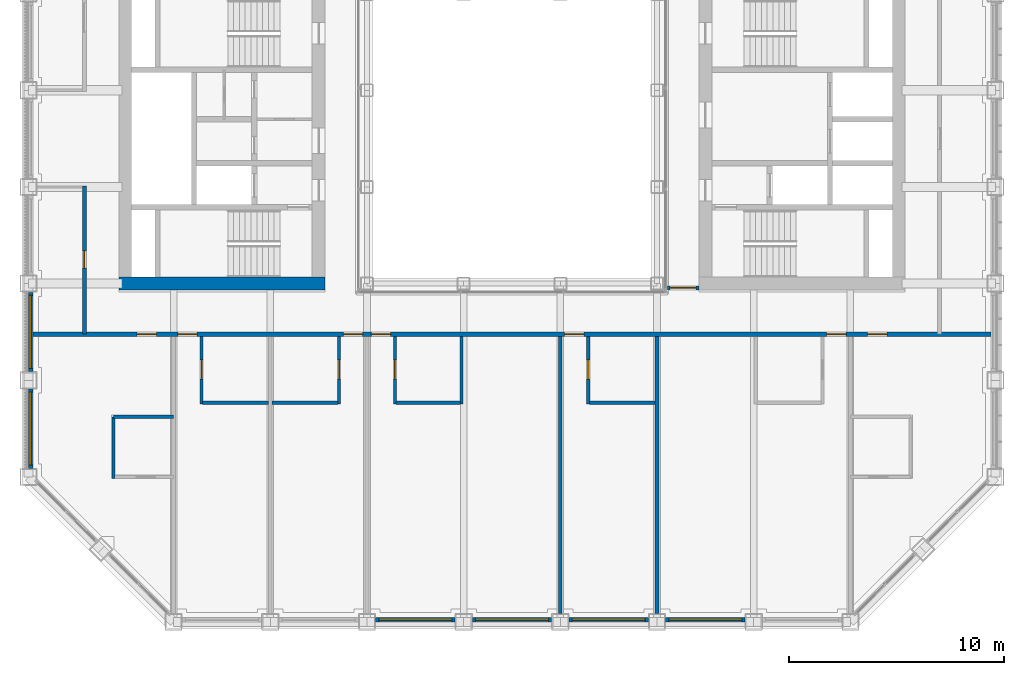
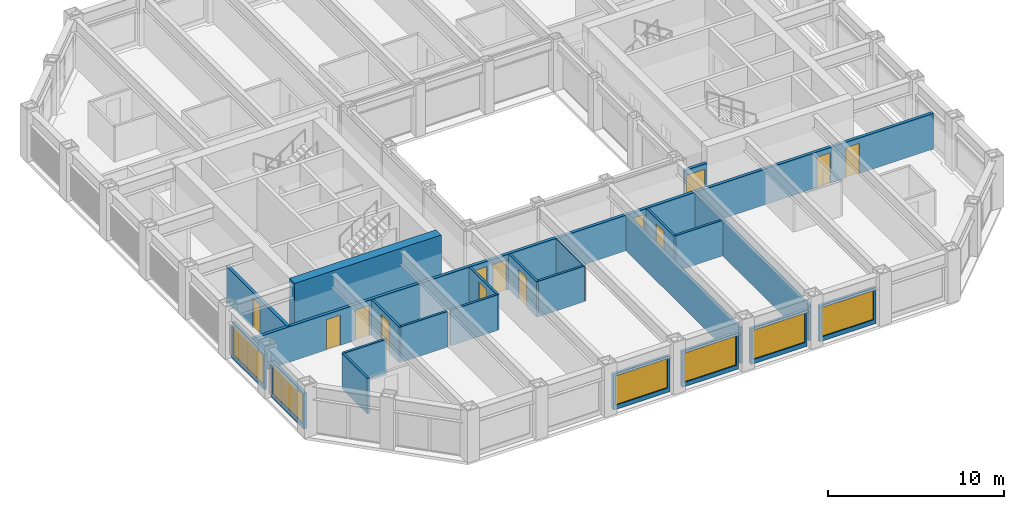
# One storey, part 10 of 17: 23 walls, 13 doors, 6 windows, 19 openings.
"""IFC4 building model written with IfcOpenShell, lengths in metres."""

from ifc_helpers import new_model, si_unit, direction, frame, frame_2d, origin, place, context, subcontext, project, spatial, rectangle, extrude, material, layer, layer_set, type_object, element, fill, save


model = new_model("IFC4")

# Units and contexts
model_context = context("Model", 3, precision=1e-05, world=origin(), true_north=direction((0.0, 1.0)))
body_context = subcontext(model_context, "Body", "Model", "MODEL_VIEW")
ifc_project = project(units=[si_unit("LENGTHUNIT", "METRE"), si_unit("AREAUNIT", "SQUARE_METRE"), si_unit("VOLUMEUNIT", "CUBIC_METRE"), si_unit("PLANEANGLEUNIT", "RADIAN"), si_unit("MASSUNIT", "GRAM", prefix="KILO")], contexts=[model_context])

# Site, building, storey
site_placement = place(None, origin())
site = spatial("IfcSite", under=ifc_project, at=site_placement, CompositionType="ELEMENT")
building_placement = place(site_placement, origin())
building = spatial("IfcBuilding", under=site, at=building_placement, Name="Msasa Ring Tower", CompositionType="ELEMENT")
storey_placement = place(building_placement, frame((0.0, 0.0, 147.199951171875)))
storey = spatial("IfcBuildingStorey", under=building, at=storey_placement, Name="L38", CompositionType="ELEMENT", Elevation=147.199951171875)

# Wall
ifc_material_1 = material(Name="Concrete C60/75", Category="concrete")
ifc_layer_1 = layer(ifc_material_1, 0.60009765625)
ifc_layer_set_1 = layer_set([ifc_layer_1], Name="CW2 CORE WALL 600")
wall_type_1 = type_object("IfcWallType", Name="CW2 CORE WALL 600", PredefinedType="SHEAR", material=ifc_layer_set_1)
wall_1_placement = place(storey_placement, frame((-8.699951171875, -6.75, 0.0), z_axis=(0.0, 0.0, 1.0), x_axis=(-1.0, 0.0, 0.0)))
element("IfcWall", 1, at=wall_1_placement, inside=storey, type_object=wall_type_1, Name="W core wall S L38", PredefinedType="SHEAR", context=body_context, shape_type="SweptSolid", body=[
    extrude(rectangle(XDim=9.60009765625, YDim=0.60009765625, at=frame_2d((4.800048828125, 0.0))), origin(), (0.0, 0.0, 1.0), 3.60009765625),
])

# Wall, opening, window
ifc_material_2 = material(Name="Terracotta rainscreen on blockwork", Category="masonry")
ifc_layer_2 = layer(ifc_material_2, 0.199951171875)
ifc_layer_set_2 = layer_set([ifc_layer_2], Name="FW1 TERRACOTTA-LINED INFILL BAY WALL 200")
wall_type_2 = type_object("IfcWallType", Name="FW1 TERRACOTTA-LINED INFILL BAY WALL 200", PredefinedType="SOLIDWALL", material=ifc_layer_set_2)
wall_2_placement = place(storey_placement, frame((-6.344970703125, -22.39990234375, 0.0), z_axis=(0.0, 0.0, 1.0), x_axis=(1.0, 0.0, 0.0)))
wall_2 = element("IfcWall", 2, at=wall_2_placement, inside=storey, type_object=wall_type_2, Name="Infill bay wall S L38 02", PredefinedType="SOLIDWALL", context=body_context, shape_type="SweptSolid", body=[
    extrude(rectangle(XDim=3.68994140625, YDim=0.199951171875, at=frame_2d((1.844970703125, 0.0))), origin(), (0.0, 0.0, 1.0), 2.47900390625),
])
opening_1_placement = place(wall_2_placement, frame((0.14501953125, 0.0, 0.300048828125)))
opening_1 = element("IfcOpeningElement", 3, at=opening_1_placement, cuts=wall_2, Name="Opening WN2", PredefinedType="OPENING", context=body_context, shape_type="SweptSolid", body=[
    extrude(rectangle(XDim=3.39990234375, YDim=2.029052734375, at=frame_2d((1.699951171875, 1.0146484375))), frame((0.0, 0.10986328125, 0.0), z_axis=(0.0, -1.0, 0.0), x_axis=(1.0, 0.0, 0.0)), (0.0, 0.0, 1.0), 0.219970703125),
])
ifc_material_3 = material(Name="Aluminium frame with clear glass", Category="aluminium")
window_type = type_object("IfcWindowType", Name="WN2 GUEST ROOM WINDOW 3400x2029", PartitioningType="SINGLE_PANEL", PredefinedType="WINDOW", material=ifc_material_3)
window_1_placement = place(opening_1_placement, origin())
window_1 = element("IfcWindow", 4, at=window_1_placement, inside=storey, type_object=window_type, Name="Window S L38 02", OverallHeight=2.029052734375, OverallWidth=3.39990234375, PartitioningType="SINGLE_PANEL", PredefinedType="WINDOW", context=body_context, shape_type="SweptSolid", body=[
    extrude(rectangle(XDim=3.39990234375, YDim=2.029052734375, at=frame_2d((1.699951171875, 1.0146484375))), frame((0.0, 0.030029296875, 0.0), z_axis=(0.0, -1.0, 0.0), x_axis=(1.0, 0.0, 0.0)), (0.0, 0.0, 1.0), 0.06005859375),
])
fill(opening_1, window_1)

wall_3_placement = place(storey_placement, frame((-1.844970703125, -22.39990234375, 0.0), z_axis=(0.0, 0.0, 1.0), x_axis=(1.0, 0.0, 0.0)))
wall_3 = element("IfcWall", 5, at=wall_3_placement, inside=storey, type_object=wall_type_2, Name="Infill bay wall S L38 03", PredefinedType="SOLIDWALL", context=body_context, shape_type="SweptSolid", body=[
    extrude(rectangle(XDim=3.68994140625, YDim=0.199951171875, at=frame_2d((1.844970703125, 0.0))), origin(), (0.0, 0.0, 1.0), 2.47900390625),
])
opening_2_placement = place(wall_3_placement, frame((0.14501953125, 0.0, 0.300048828125)))
opening_2 = element("IfcOpeningElement", 6, at=opening_2_placement, cuts=wall_3, Name="Opening WN2", PredefinedType="OPENING", context=body_context, shape_type="SweptSolid", body=[
    extrude(rectangle(XDim=3.39990234375, YDim=2.029052734375, at=frame_2d((1.699951171875, 1.0146484375))), frame((0.0, 0.10986328125, 0.0), z_axis=(0.0, -1.0, 0.0), x_axis=(1.0, 0.0, 0.0)), (0.0, 0.0, 1.0), 0.219970703125),
])
window_2_placement = place(opening_2_placement, origin())
window_2 = element("IfcWindow", 7, at=window_2_placement, inside=storey, type_object=window_type, Name="Window S L38 03", OverallHeight=2.029052734375, OverallWidth=3.39990234375, PartitioningType="SINGLE_PANEL", PredefinedType="WINDOW", context=body_context, shape_type="SweptSolid", body=[
    extrude(rectangle(XDim=3.39990234375, YDim=2.029052734375, at=frame_2d((1.699951171875, 1.0146484375))), frame((0.0, 0.030029296875, 0.0), z_axis=(0.0, -1.0, 0.0), x_axis=(1.0, 0.0, 0.0)), (0.0, 0.0, 1.0), 0.06005859375),
])
fill(opening_2, window_2)

wall_4_placement = place(storey_placement, frame((2.655029296875, -22.39990234375, 0.0), z_axis=(0.0, 0.0, 1.0), x_axis=(1.0, 0.0, 0.0)))
wall_4 = element("IfcWall", 8, at=wall_4_placement, inside=storey, type_object=wall_type_2, Name="Infill bay wall S L38 04", PredefinedType="SOLIDWALL", context=body_context, shape_type="SweptSolid", body=[
    extrude(rectangle(XDim=3.68994140625, YDim=0.199951171875, at=frame_2d((1.844970703125, 0.0))), origin(), (0.0, 0.0, 1.0), 2.47900390625),
])
opening_3_placement = place(wall_4_placement, frame((0.14501953125, 0.0, 0.300048828125)))
opening_3 = element("IfcOpeningElement", 9, at=opening_3_placement, cuts=wall_4, Name="Opening WN2", PredefinedType="OPENING", context=body_context, shape_type="SweptSolid", body=[
    extrude(rectangle(XDim=3.39990234375, YDim=2.029052734375, at=frame_2d((1.699951171875, 1.0146484375))), frame((0.0, 0.10986328125, 0.0), z_axis=(0.0, -1.0, 0.0), x_axis=(1.0, 0.0, 0.0)), (0.0, 0.0, 1.0), 0.219970703125),
])
window_3_placement = place(opening_3_placement, origin())
window_3 = element("IfcWindow", 10, at=window_3_placement, inside=storey, type_object=window_type, Name="Window S L38 04", OverallHeight=2.029052734375, OverallWidth=3.39990234375, PartitioningType="SINGLE_PANEL", PredefinedType="WINDOW", context=body_context, shape_type="SweptSolid", body=[
    extrude(rectangle(XDim=3.39990234375, YDim=2.029052734375, at=frame_2d((1.699951171875, 1.0146484375))), frame((0.0, 0.030029296875, 0.0), z_axis=(0.0, -1.0, 0.0), x_axis=(1.0, 0.0, 0.0)), (0.0, 0.0, 1.0), 0.06005859375),
])
fill(opening_3, window_3)

wall_5_placement = place(storey_placement, frame((7.155029296875, -22.39990234375, 0.0), z_axis=(0.0, 0.0, 1.0), x_axis=(1.0, 0.0, 0.0)))
wall_5 = element("IfcWall", 11, at=wall_5_placement, inside=storey, type_object=wall_type_2, Name="Infill bay wall S L38 05", PredefinedType="SOLIDWALL", context=body_context, shape_type="SweptSolid", body=[
    extrude(rectangle(XDim=3.68994140625, YDim=0.199951171875, at=frame_2d((1.844970703125, 0.0))), origin(), (0.0, 0.0, 1.0), 2.47900390625),
])
opening_4_placement = place(wall_5_placement, frame((0.14501953125, 0.0, 0.300048828125)))
opening_4 = element("IfcOpeningElement", 12, at=opening_4_placement, cuts=wall_5, Name="Opening WN2", PredefinedType="OPENING", context=body_context, shape_type="SweptSolid", body=[
    extrude(rectangle(XDim=3.39990234375, YDim=2.029052734375, at=frame_2d((1.699951171875, 1.0146484375))), frame((0.0, 0.10986328125, 0.0), z_axis=(0.0, -1.0, 0.0), x_axis=(1.0, 0.0, 0.0)), (0.0, 0.0, 1.0), 0.219970703125),
])
window_4_placement = place(opening_4_placement, origin())
window_4 = element("IfcWindow", 13, at=window_4_placement, inside=storey, type_object=window_type, Name="Window S L38 05", OverallHeight=2.029052734375, OverallWidth=3.39990234375, PartitioningType="SINGLE_PANEL", PredefinedType="WINDOW", context=body_context, shape_type="SweptSolid", body=[
    extrude(rectangle(XDim=3.39990234375, YDim=2.029052734375, at=frame_2d((1.699951171875, 1.0146484375))), frame((0.0, 0.030029296875, 0.0), z_axis=(0.0, -1.0, 0.0), x_axis=(1.0, 0.0, 0.0)), (0.0, 0.0, 1.0), 0.06005859375),
])
fill(opening_4, window_4)

wall_6_placement = place(storey_placement, frame((-22.39990234375, -15.344970703125, 0.0), z_axis=(0.0, 0.0, 1.0), x_axis=(0.0, 1.0, 0.0)))
wall_6 = element("IfcWall", 14, at=wall_6_placement, inside=storey, type_object=wall_type_2, Name="Infill bay wall W L38 27", PredefinedType="SOLIDWALL", context=body_context, shape_type="SweptSolid", body=[
    extrude(rectangle(XDim=3.68994140625, YDim=0.199951171875, at=frame_2d((1.844970703125, 0.0))), origin(), (0.0, 0.0, 1.0), 2.47900390625),
])
opening_5_placement = place(wall_6_placement, frame((0.14501953125, 0.0, 0.300048828125)))
opening_5 = element("IfcOpeningElement", 15, at=opening_5_placement, cuts=wall_6, Name="Opening WN2", PredefinedType="OPENING", context=body_context, shape_type="SweptSolid", body=[
    extrude(rectangle(XDim=3.39990234375, YDim=2.029052734375, at=frame_2d((1.699951171875, 1.0146484375))), frame((0.0, 0.10986328125, 0.0), z_axis=(0.0, -1.0, 0.0), x_axis=(1.0, 0.0, 0.0)), (0.0, 0.0, 1.0), 0.219970703125),
])
window_5_placement = place(opening_5_placement, origin())
window_5 = element("IfcWindow", 16, at=window_5_placement, inside=storey, type_object=window_type, Name="Window W L38 27", OverallHeight=2.029052734375, OverallWidth=3.39990234375, PartitioningType="SINGLE_PANEL", PredefinedType="WINDOW", context=body_context, shape_type="SweptSolid", body=[
    extrude(rectangle(XDim=3.39990234375, YDim=2.029052734375, at=frame_2d((1.699951171875, 1.0146484375))), frame((0.0, 0.030029296875, 0.0), z_axis=(0.0, -1.0, 0.0), x_axis=(1.0, 0.0, 0.0)), (0.0, 0.0, 1.0), 0.06005859375),
])
fill(opening_5, window_5)

wall_7_placement = place(storey_placement, frame((-22.39990234375, -10.844970703125, 0.0), z_axis=(0.0, 0.0, 1.0), x_axis=(0.0, 1.0, 0.0)))
wall_7 = element("IfcWall", 17, at=wall_7_placement, inside=storey, type_object=wall_type_2, Name="Infill bay wall W L38 28", PredefinedType="SOLIDWALL", context=body_context, shape_type="SweptSolid", body=[
    extrude(rectangle(XDim=3.68994140625, YDim=0.199951171875, at=frame_2d((1.844970703125, 0.0))), origin(), (0.0, 0.0, 1.0), 2.47900390625),
])
opening_6_placement = place(wall_7_placement, frame((0.14501953125, 0.0, 0.300048828125)))
opening_6 = element("IfcOpeningElement", 18, at=opening_6_placement, cuts=wall_7, Name="Opening WN2", PredefinedType="OPENING", context=body_context, shape_type="SweptSolid", body=[
    extrude(rectangle(XDim=3.39990234375, YDim=2.029052734375, at=frame_2d((1.699951171875, 1.0146484375))), frame((0.0, 0.10986328125, 0.0), z_axis=(0.0, -1.0, 0.0), x_axis=(1.0, 0.0, 0.0)), (0.0, 0.0, 1.0), 0.219970703125),
])
window_6_placement = place(opening_6_placement, origin())
window_6 = element("IfcWindow", 19, at=window_6_placement, inside=storey, type_object=window_type, Name="Window W L38 28", OverallHeight=2.029052734375, OverallWidth=3.39990234375, PartitioningType="SINGLE_PANEL", PredefinedType="WINDOW", context=body_context, shape_type="SweptSolid", body=[
    extrude(rectangle(XDim=3.39990234375, YDim=2.029052734375, at=frame_2d((1.699951171875, 1.0146484375))), frame((0.0, 0.030029296875, 0.0), z_axis=(0.0, -1.0, 0.0), x_axis=(1.0, 0.0, 0.0)), (0.0, 0.0, 1.0), 0.06005859375),
])
fill(opening_6, window_6)

# Wall, opening, door
ifc_material_4 = material(Name="Concrete blockwork", Category="masonry")
ifc_layer_3 = layer(ifc_material_4, 0.199951171875)
ifc_layer_set_3 = layer_set([ifc_layer_3], Name="PT1 CORRIDOR WALL 200")
wall_type_3 = type_object("IfcWallType", Name="PT1 CORRIDOR WALL 200", PredefinedType="PARTITIONING", material=ifc_layer_set_3)
wall_8_placement = place(storey_placement, frame((7.22998046875, -6.949951171875, 0.0), z_axis=(0.0, 0.0, 1.0), x_axis=(1.0, 0.0, 0.0)))
wall_8 = element("IfcWall", 20, at=wall_8_placement, inside=storey, type_object=wall_type_3, Name="Corridor wall L38-SDES", PredefinedType="PARTITIONING", context=body_context, shape_type="SweptSolid", body=[
    extrude(rectangle(XDim=1.469970703125, YDim=0.199951171875, at=frame_2d((0.73486328125, 0.0))), origin(), (0.0, 0.0, 1.0), 2.473388671875),
])
opening_7_placement = place(wall_8_placement, frame((0.135009765625, 0.0, 0.0)))
opening_7 = element("IfcOpeningElement", 21, at=opening_7_placement, cuts=wall_8, Name="Opening HC-033", PredefinedType="OPENING", context=body_context, shape_type="SweptSolid", body=[
    extrude(rectangle(XDim=1.199951171875, YDim=2.10009765625, at=frame_2d((0.60009765625, 1.050048828125))), frame((0.0, 0.10986328125, 0.0), z_axis=(0.0, -1.0, 0.0), x_axis=(1.0, 0.0, 0.0)), (0.0, 0.0, 1.0), 0.219970703125),
])
ifc_material_5 = material(Name="Timber door leaf in a steel frame", Category="steel")
door_type_1 = type_object("IfcDoorType", Name="D25 CORRIDOR PAIR OF SMOKE DOORS 1200x2100", OperationType="DOUBLE_DOOR_DOUBLE_SWING", PredefinedType="DOOR", material=ifc_material_5)
door_1_placement = place(opening_7_placement, origin())
door_1 = element("IfcDoor", 22, at=door_1_placement, inside=storey, type_object=door_type_1, Name="Door L38-SDES", OperationType="DOUBLE_DOOR_DOUBLE_SWING", OverallHeight=2.10009765625, OverallWidth=1.199951171875, PredefinedType="DOOR", context=body_context, shape_type="SweptSolid", body=[
    extrude(rectangle(XDim=1.199951171875, YDim=2.10009765625, at=frame_2d((0.60009765625, 1.050048828125))), frame((0.0, 0.02490234375, 0.0), z_axis=(0.0, -1.0, 0.0), x_axis=(1.0, 0.0, 0.0)), (0.0, 0.0, 1.0), 0.050048828125),
])
fill(opening_7, door_1)

# Wall, openings, doors
wall_9_placement = place(storey_placement, frame((-22.300048828125, -9.10009765625, 0.0), z_axis=(0.0, 0.0, 1.0), x_axis=(1.0, 0.0, 0.0)))
wall_9 = element("IfcWall", 23, at=wall_9_placement, inside=storey, type_object=wall_type_3, Name="Corridor wall L38-CORRS0", PredefinedType="PARTITIONING", context=body_context, shape_type="SweptSolid", body=[
    extrude(rectangle(XDim=44.60009765625, YDim=0.199951171875, at=frame_2d((22.300048828125, 0.0))), origin(), (0.0, 0.0, 1.0), 2.473388671875),
])
opening_8_placement = place(wall_9_placement, frame((6.75, 0.0, 0.0)))
opening_8 = element("IfcOpeningElement", 24, at=opening_8_placement, cuts=wall_9, Name="Opening HC-035", PredefinedType="OPENING", context=body_context, shape_type="SweptSolid", body=[
    extrude(rectangle(XDim=0.89990234375, YDim=2.10009765625, at=frame_2d((0.449951171875, 1.050048828125))), frame((0.0, 0.10986328125, 0.0), z_axis=(0.0, -1.0, 0.0), x_axis=(1.0, 0.0, 0.0)), (0.0, 0.0, 1.0), 0.219970703125),
])
opening_9_placement = place(wall_9_placement, frame((14.449951171875, 0.0, 0.0)))
opening_9 = element("IfcOpeningElement", 25, at=opening_9_placement, cuts=wall_9, Name="Opening HC-036", PredefinedType="OPENING", context=body_context, shape_type="SweptSolid", body=[
    extrude(rectangle(XDim=0.89990234375, YDim=2.10009765625, at=frame_2d((0.449951171875, 1.050048828125))), frame((0.0, 0.10986328125, 0.0), z_axis=(0.0, -1.0, 0.0), x_axis=(1.0, 0.0, 0.0)), (0.0, 0.0, 1.0), 0.219970703125),
])
opening_10_placement = place(wall_9_placement, frame((15.75, 0.0, 0.0)))
opening_10 = element("IfcOpeningElement", 26, at=opening_10_placement, cuts=wall_9, Name="Opening HC-037", PredefinedType="OPENING", context=body_context, shape_type="SweptSolid", body=[
    extrude(rectangle(XDim=0.89990234375, YDim=2.10009765625, at=frame_2d((0.449951171875, 1.050048828125))), frame((0.0, 0.10986328125, 0.0), z_axis=(0.0, -1.0, 0.0), x_axis=(1.0, 0.0, 0.0)), (0.0, 0.0, 1.0), 0.219970703125),
])
opening_11_placement = place(wall_9_placement, frame((24.75, 0.0, 0.0)))
opening_11 = element("IfcOpeningElement", 27, at=opening_11_placement, cuts=wall_9, Name="Opening HC-038", PredefinedType="OPENING", context=body_context, shape_type="SweptSolid", body=[
    extrude(rectangle(XDim=0.89990234375, YDim=2.10009765625, at=frame_2d((0.449951171875, 1.050048828125))), frame((0.0, 0.10986328125, 0.0), z_axis=(0.0, -1.0, 0.0), x_axis=(1.0, 0.0, 0.0)), (0.0, 0.0, 1.0), 0.219970703125),
])
opening_12_placement = place(wall_9_placement, frame((36.949951171875, 0.0, 0.0)))
opening_12 = element("IfcOpeningElement", 28, at=opening_12_placement, cuts=wall_9, Name="Opening HC-039", PredefinedType="OPENING", context=body_context, shape_type="SweptSolid", body=[
    extrude(rectangle(XDim=0.89990234375, YDim=2.10009765625, at=frame_2d((0.449951171875, 1.050048828125))), frame((0.0, 0.10986328125, 0.0), z_axis=(0.0, -1.0, 0.0), x_axis=(1.0, 0.0, 0.0)), (0.0, 0.0, 1.0), 0.219970703125),
])
opening_13_placement = place(wall_9_placement, frame((38.85009765625, 0.0, 0.0)))
opening_13 = element("IfcOpeningElement", 29, at=opening_13_placement, cuts=wall_9, Name="Opening HC-040", PredefinedType="OPENING", context=body_context, shape_type="SweptSolid", body=[
    extrude(rectangle(XDim=0.89990234375, YDim=2.10009765625, at=frame_2d((0.449951171875, 1.050048828125))), frame((0.0, 0.10986328125, 0.0), z_axis=(0.0, -1.0, 0.0), x_axis=(1.0, 0.0, 0.0)), (0.0, 0.0, 1.0), 0.219970703125),
])
opening_14_placement = place(wall_9_placement, frame((4.85009765625, 0.0, 0.0)))
opening_14 = element("IfcOpeningElement", 30, at=opening_14_placement, cuts=wall_9, Name="Opening HC-034", PredefinedType="OPENING", context=body_context, shape_type="SweptSolid", body=[
    extrude(rectangle(XDim=0.89990234375, YDim=2.10009765625, at=frame_2d((0.449951171875, 1.050048828125))), frame((0.0, 0.10986328125, 0.0), z_axis=(0.0, -1.0, 0.0), x_axis=(1.0, 0.0, 0.0)), (0.0, 0.0, 1.0), 0.219970703125),
])
ifc_material_6 = material(Name="Timber door leaf in a steel frame", Category="steel")
door_type_2 = type_object("IfcDoorType", Name="D1 SINGLE DOOR TO CORRIDOR 900x2100", OperationType="SINGLE_SWING_LEFT", PredefinedType="DOOR", material=ifc_material_6)
door_2_placement = place(opening_8_placement, origin())
door_2 = element("IfcDoor", 31, at=door_2_placement, inside=storey, type_object=door_type_2, Name="Door L38-GS00", OperationType="SINGLE_SWING_LEFT", OverallHeight=2.10009765625, OverallWidth=0.89990234375, PredefinedType="DOOR", context=body_context, shape_type="SweptSolid", body=[
    extrude(rectangle(XDim=0.89990234375, YDim=2.10009765625, at=frame_2d((0.449951171875, 1.050048828125))), frame((0.0, 0.02490234375, 0.0), z_axis=(0.0, -1.0, 0.0), x_axis=(1.0, 0.0, 0.0)), (0.0, 0.0, 1.0), 0.050048828125),
])
fill(opening_8, door_2)
door_3_placement = place(opening_9_placement, origin())
door_3 = element("IfcDoor", 32, at=door_3_placement, inside=storey, type_object=door_type_2, Name="Door L38-GS01", OperationType="SINGLE_SWING_LEFT", OverallHeight=2.10009765625, OverallWidth=0.89990234375, PredefinedType="DOOR", context=body_context, shape_type="SweptSolid", body=[
    extrude(rectangle(XDim=0.89990234375, YDim=2.10009765625, at=frame_2d((0.449951171875, 1.050048828125))), frame((0.0, 0.02490234375, 0.0), z_axis=(0.0, -1.0, 0.0), x_axis=(1.0, 0.0, 0.0)), (0.0, 0.0, 1.0), 0.050048828125),
])
fill(opening_9, door_3)
door_4_placement = place(opening_10_placement, origin())
door_4 = element("IfcDoor", 33, at=door_4_placement, inside=storey, type_object=door_type_2, Name="Door L38-GS02", OperationType="SINGLE_SWING_LEFT", OverallHeight=2.10009765625, OverallWidth=0.89990234375, PredefinedType="DOOR", context=body_context, shape_type="SweptSolid", body=[
    extrude(rectangle(XDim=0.89990234375, YDim=2.10009765625, at=frame_2d((0.449951171875, 1.050048828125))), frame((0.0, 0.02490234375, 0.0), z_axis=(0.0, -1.0, 0.0), x_axis=(1.0, 0.0, 0.0)), (0.0, 0.0, 1.0), 0.050048828125),
])
fill(opening_10, door_4)
door_5_placement = place(opening_11_placement, origin())
door_5 = element("IfcDoor", 34, at=door_5_placement, inside=storey, type_object=door_type_2, Name="Door L38-GS03", OperationType="SINGLE_SWING_RIGHT", OverallHeight=2.10009765625, OverallWidth=0.89990234375, PredefinedType="DOOR", context=body_context, shape_type="SweptSolid", body=[
    extrude(rectangle(XDim=0.89990234375, YDim=2.10009765625, at=frame_2d((0.449951171875, 1.050048828125))), frame((0.0, 0.02490234375, 0.0), z_axis=(0.0, -1.0, 0.0), x_axis=(1.0, 0.0, 0.0)), (0.0, 0.0, 1.0), 0.050048828125),
])
fill(opening_11, door_5)
door_6_placement = place(opening_12_placement, origin())
door_6 = element("IfcDoor", 35, at=door_6_placement, inside=storey, type_object=door_type_2, Name="Door L38-GS04", OperationType="SINGLE_SWING_RIGHT", OverallHeight=2.10009765625, OverallWidth=0.89990234375, PredefinedType="DOOR", context=body_context, shape_type="SweptSolid", body=[
    extrude(rectangle(XDim=0.89990234375, YDim=2.10009765625, at=frame_2d((0.449951171875, 1.050048828125))), frame((0.0, 0.02490234375, 0.0), z_axis=(0.0, -1.0, 0.0), x_axis=(1.0, 0.0, 0.0)), (0.0, 0.0, 1.0), 0.050048828125),
])
fill(opening_12, door_6)
ifc_material_7 = material(Name="Timber door leaf in a steel frame", Category="steel")
door_type_3 = type_object("IfcDoorType", Name="D2 ENTRANCE DOOR 900x2100", OperationType="SINGLE_SWING_LEFT", PredefinedType="DOOR", material=ifc_material_7)
door_7_placement = place(opening_13_placement, origin())
door_7 = element("IfcDoor", 36, at=door_7_placement, inside=storey, type_object=door_type_3, Name="Door L38-CSSE", OperationType="SINGLE_SWING_RIGHT", OverallHeight=2.10009765625, OverallWidth=0.89990234375, PredefinedType="DOOR", context=body_context, shape_type="SweptSolid", body=[
    extrude(rectangle(XDim=0.89990234375, YDim=2.10009765625, at=frame_2d((0.449951171875, 1.050048828125))), frame((0.0, 0.02490234375, 0.0), z_axis=(0.0, -1.0, 0.0), x_axis=(1.0, 0.0, 0.0)), (0.0, 0.0, 1.0), 0.050048828125),
])
fill(opening_13, door_7)
door_8_placement = place(opening_14_placement, origin())
door_8 = element("IfcDoor", 37, at=door_8_placement, inside=storey, type_object=door_type_3, Name="Door L38-CSSW", OperationType="SINGLE_SWING_LEFT", OverallHeight=2.10009765625, OverallWidth=0.89990234375, PredefinedType="DOOR", context=body_context, shape_type="SweptSolid", body=[
    extrude(rectangle(XDim=0.89990234375, YDim=2.10009765625, at=frame_2d((0.449951171875, 1.050048828125))), frame((0.0, 0.02490234375, 0.0), z_axis=(0.0, -1.0, 0.0), x_axis=(1.0, 0.0, 0.0)), (0.0, 0.0, 1.0), 0.050048828125),
])
fill(opening_14, door_8)

# Wall, opening, door
wall_10_placement = place(storey_placement, frame((-19.89990234375, -9.10009765625, 0.0), z_axis=(0.0, 0.0, 1.0), x_axis=(0.0, 1.0, 0.0)))
wall_10 = element("IfcWall", 38, at=wall_10_placement, inside=storey, type_object=wall_type_3, Name="Corridor wall L38-STRWS", PredefinedType="PARTITIONING", context=body_context, shape_type="SweptSolid", body=[
    extrude(rectangle(XDim=6.900146484375, YDim=0.199951171875, at=frame_2d((3.4501953125, 0.0))), origin(), (0.0, 0.0, 1.0), 2.473388671875),
])
opening_15_placement = place(wall_10_placement, frame((3.074951171875, 0.0, 0.0)))
opening_15 = element("IfcOpeningElement", 39, at=opening_15_placement, cuts=wall_10, Name="Opening HC-032", PredefinedType="OPENING", context=body_context, shape_type="SweptSolid", body=[
    extrude(rectangle(XDim=0.800048828125, YDim=2.10009765625, at=frame_2d((0.39990234375, 1.050048828125))), frame((0.0, 0.10986328125, 0.0), z_axis=(0.0, -1.0, 0.0), x_axis=(1.0, 0.0, 0.0)), (0.0, 0.0, 1.0), 0.219970703125),
])
ifc_material_8 = material(Name="Timber door leaf in a steel frame", Category="steel")
door_type_4 = type_object("IfcDoorType", Name="D11 NARROW STORE DOOR 800x2100", OperationType="SINGLE_SWING_LEFT", PredefinedType="DOOR", material=ifc_material_8)
door_9_placement = place(opening_15_placement, origin())
door_9 = element("IfcDoor", 40, at=door_9_placement, inside=storey, type_object=door_type_4, Name="Door L38-CLW", OperationType="SINGLE_SWING_LEFT", OverallHeight=2.10009765625, OverallWidth=0.800048828125, PredefinedType="DOOR", context=body_context, shape_type="SweptSolid", body=[
    extrude(rectangle(XDim=0.800048828125, YDim=2.10009765625, at=frame_2d((0.39990234375, 1.050048828125))), frame((0.0, 0.02490234375, 0.0), z_axis=(0.0, -1.0, 0.0), x_axis=(1.0, 0.0, 0.0)), (0.0, 0.0, 1.0), 0.050048828125),
])
fill(opening_15, door_9)

ifc_material_9 = material(Name="Moisture-resistant board on steel studs with a concealed cistern and pipe void, tiled", Category="steel")
ifc_layer_4 = layer(ifc_material_9, 0.14990234375)
ifc_layer_set_4 = layer_set([ifc_layer_4], Name="PT4 BATHROOM WET WALL 150")
wall_type_4 = type_object("IfcWallType", Name="PT4 BATHROOM WET WALL 150", PredefinedType="PARTITIONING", material=ifc_layer_set_4)
wall_11_placement = place(storey_placement, frame((-14.449951171875, -12.35009765625, 0.0), z_axis=(0.0, 0.0, 1.0), x_axis=(0.0, 1.0, 0.0)))
wall_11 = element("IfcWall", 41, at=wall_11_placement, inside=storey, type_object=wall_type_4, Name="Partition L38-GS00BX", PredefinedType="PARTITIONING", context=body_context, shape_type="SweptSolid", body=[
    extrude(rectangle(XDim=3.150146484375, YDim=0.14990234375, at=frame_2d((1.5751953125, 0.0))), origin(), (0.0, 0.0, 1.0), 2.473388671875),
])
opening_16_placement = place(wall_11_placement, frame((1.14990234375, 0.0, 0.0)))
opening_16 = element("IfcOpeningElement", 42, at=opening_16_placement, cuts=wall_11, Name="Opening HC-041", PredefinedType="OPENING", context=body_context, shape_type="SweptSolid", body=[
    extrude(rectangle(XDim=0.89990234375, YDim=2.10009765625, at=frame_2d((0.449951171875, 1.050048828125))), frame((0.0, 0.0849609375, 0.0), z_axis=(0.0, -1.0, 0.0), x_axis=(1.0, 0.0, 0.0)), (0.0, 0.0, 1.0), 0.169921875),
])
ifc_material_10 = material(Name="Timber door leaf in a steel frame", Category="steel")
door_type_5 = type_object("IfcDoorType", Name="D3 BATHROOM DOOR 900x2100", OperationType="SINGLE_SWING_LEFT", PredefinedType="DOOR", material=ifc_material_10)
door_10_placement = place(opening_16_placement, origin())
door_10 = element("IfcDoor", 43, at=door_10_placement, inside=storey, type_object=door_type_5, Name="Door L38-GS00B", OperationType="SINGLE_SWING_LEFT", OverallHeight=2.10009765625, OverallWidth=0.89990234375, PredefinedType="DOOR", context=body_context, shape_type="SweptSolid", body=[
    extrude(rectangle(XDim=0.89990234375, YDim=2.10009765625, at=frame_2d((0.449951171875, 1.050048828125))), frame((0.0, 0.02490234375, 0.0), z_axis=(0.0, -1.0, 0.0), x_axis=(1.0, 0.0, 0.0)), (0.0, 0.0, 1.0), 0.050048828125),
])
fill(opening_16, door_10)

# Wall
wall_12_placement = place(storey_placement, frame((-14.39990234375, -12.300048828125, 0.0), z_axis=(0.0, 0.0, 1.0), x_axis=(1.0, 0.0, 0.0)))
element("IfcWall", 44, at=wall_12_placement, inside=storey, type_object=wall_type_4, Name="Partition L38-GS00BY", PredefinedType="PARTITIONING", context=body_context, shape_type="SweptSolid", body=[
    extrude(rectangle(XDim=3.0625, YDim=0.14990234375, at=frame_2d((1.53125, 0.0))), origin(), (0.0, 0.0, 1.0), 2.473388671875),
])

# Wall, opening, door
wall_13_placement = place(storey_placement, frame((-8.050048828125, -12.35009765625, 0.0), z_axis=(0.0, 0.0, 1.0), x_axis=(0.0, 1.0, 0.0)))
wall_13 = element("IfcWall", 45, at=wall_13_placement, inside=storey, type_object=wall_type_4, Name="Partition L38-GS01BX", PredefinedType="PARTITIONING", context=body_context, shape_type="SweptSolid", body=[
    extrude(rectangle(XDim=3.150146484375, YDim=0.14990234375, at=frame_2d((1.5751953125, 0.0))), origin(), (0.0, 0.0, 1.0), 2.473388671875),
])
opening_17_placement = place(wall_13_placement, frame((1.14990234375, 0.0, 0.0)))
opening_17 = element("IfcOpeningElement", 46, at=opening_17_placement, cuts=wall_13, Name="Opening HC-042", PredefinedType="OPENING", context=body_context, shape_type="SweptSolid", body=[
    extrude(rectangle(XDim=0.89990234375, YDim=2.10009765625, at=frame_2d((0.449951171875, 1.050048828125))), frame((0.0, 0.0849609375, 0.0), z_axis=(0.0, -1.0, 0.0), x_axis=(1.0, 0.0, 0.0)), (0.0, 0.0, 1.0), 0.169921875),
])
door_11_placement = place(opening_17_placement, origin())
door_11 = element("IfcDoor", 47, at=door_11_placement, inside=storey, type_object=door_type_5, Name="Door L38-GS01B", OperationType="SINGLE_SWING_LEFT", OverallHeight=2.10009765625, OverallWidth=0.89990234375, PredefinedType="DOOR", context=body_context, shape_type="SweptSolid", body=[
    extrude(rectangle(XDim=0.89990234375, YDim=2.10009765625, at=frame_2d((0.449951171875, 1.050048828125))), frame((0.0, 0.02490234375, 0.0), z_axis=(0.0, -1.0, 0.0), x_axis=(1.0, 0.0, 0.0)), (0.0, 0.0, 1.0), 0.050048828125),
])
fill(opening_17, door_11)

# Wall
wall_14_placement = place(storey_placement, frame((-11.16259765625, -12.300048828125, 0.0), z_axis=(0.0, 0.0, 1.0), x_axis=(1.0, 0.0, 0.0)))
element("IfcWall", 48, at=wall_14_placement, inside=storey, type_object=wall_type_4, Name="Partition L38-GS01BY", PredefinedType="PARTITIONING", context=body_context, shape_type="SweptSolid", body=[
    extrude(rectangle(XDim=3.0625, YDim=0.14990234375, at=frame_2d((1.53125, 0.0))), origin(), (0.0, 0.0, 1.0), 2.473388671875),
])

# Wall, opening, door
wall_15_placement = place(storey_placement, frame((-5.449951171875, -12.35009765625, 0.0), z_axis=(0.0, 0.0, 1.0), x_axis=(0.0, 1.0, 0.0)))
wall_15 = element("IfcWall", 49, at=wall_15_placement, inside=storey, type_object=wall_type_4, Name="Partition L38-GS02BX", PredefinedType="PARTITIONING", context=body_context, shape_type="SweptSolid", body=[
    extrude(rectangle(XDim=3.150146484375, YDim=0.14990234375, at=frame_2d((1.5751953125, 0.0))), origin(), (0.0, 0.0, 1.0), 2.473388671875),
])
opening_18_placement = place(wall_15_placement, frame((1.14990234375, 0.0, 0.0)))
opening_18 = element("IfcOpeningElement", 50, at=opening_18_placement, cuts=wall_15, Name="Opening HC-043", PredefinedType="OPENING", context=body_context, shape_type="SweptSolid", body=[
    extrude(rectangle(XDim=0.89990234375, YDim=2.10009765625, at=frame_2d((0.449951171875, 1.050048828125))), frame((0.0, 0.0849609375, 0.0), z_axis=(0.0, -1.0, 0.0), x_axis=(1.0, 0.0, 0.0)), (0.0, 0.0, 1.0), 0.169921875),
])
door_12_placement = place(opening_18_placement, origin())
door_12 = element("IfcDoor", 51, at=door_12_placement, inside=storey, type_object=door_type_5, Name="Door L38-GS02B", OperationType="SINGLE_SWING_LEFT", OverallHeight=2.10009765625, OverallWidth=0.89990234375, PredefinedType="DOOR", context=body_context, shape_type="SweptSolid", body=[
    extrude(rectangle(XDim=0.89990234375, YDim=2.10009765625, at=frame_2d((0.449951171875, 1.050048828125))), frame((0.0, 0.02490234375, 0.0), z_axis=(0.0, -1.0, 0.0), x_axis=(1.0, 0.0, 0.0)), (0.0, 0.0, 1.0), 0.050048828125),
])
fill(opening_18, door_12)

# Walls
wall_16_placement = place(storey_placement, frame((-2.35009765625, -12.35009765625, 0.0), z_axis=(0.0, 0.0, 1.0), x_axis=(0.0, 1.0, 0.0)))
element("IfcWall", 52, at=wall_16_placement, inside=storey, type_object=wall_type_4, Name="Partition L38-GS02BF", PredefinedType="PARTITIONING", context=body_context, shape_type="SweptSolid", body=[
    extrude(rectangle(XDim=3.150146484375, YDim=0.14990234375, at=frame_2d((1.5751953125, 0.0))), origin(), (0.0, 0.0, 1.0), 2.473388671875),
])
wall_17_placement = place(storey_placement, frame((-5.39990234375, -12.300048828125, 0.0), z_axis=(0.0, 0.0, 1.0), x_axis=(1.0, 0.0, 0.0)))
element("IfcWall", 53, at=wall_17_placement, inside=storey, type_object=wall_type_4, Name="Partition L38-GS02BY", PredefinedType="PARTITIONING", context=body_context, shape_type="SweptSolid", body=[
    extrude(rectangle(XDim=3.0, YDim=0.14990234375, at=frame_2d((1.5, 0.0))), origin(), (0.0, 0.0, 1.0), 2.473388671875),
])

# Wall, opening, door
wall_18_placement = place(storey_placement, frame((3.550048828125, -12.35009765625, 0.0), z_axis=(0.0, 0.0, 1.0), x_axis=(0.0, 1.0, 0.0)))
wall_18 = element("IfcWall", 54, at=wall_18_placement, inside=storey, type_object=wall_type_4, Name="Partition L38-GS03BX", PredefinedType="PARTITIONING", context=body_context, shape_type="SweptSolid", body=[
    extrude(rectangle(XDim=3.150146484375, YDim=0.14990234375, at=frame_2d((1.5751953125, 0.0))), origin(), (0.0, 0.0, 1.0), 2.473388671875),
])
opening_19_placement = place(wall_18_placement, frame((1.14990234375, 0.0, 0.0)))
opening_19 = element("IfcOpeningElement", 55, at=opening_19_placement, cuts=wall_18, Name="Opening HC-044", PredefinedType="OPENING", context=body_context, shape_type="SweptSolid", body=[
    extrude(rectangle(XDim=0.89990234375, YDim=2.10009765625, at=frame_2d((0.449951171875, 1.050048828125))), frame((0.0, 0.0849609375, 0.0), z_axis=(0.0, -1.0, 0.0), x_axis=(1.0, 0.0, 0.0)), (0.0, 0.0, 1.0), 0.169921875),
])
door_13_placement = place(opening_19_placement, origin())
door_13 = element("IfcDoor", 56, at=door_13_placement, inside=storey, type_object=door_type_5, Name="Door L38-GS03B", OperationType="SINGLE_SWING_LEFT", OverallHeight=2.10009765625, OverallWidth=0.89990234375, PredefinedType="DOOR", context=body_context, shape_type="SweptSolid", body=[
    extrude(rectangle(XDim=0.89990234375, YDim=2.10009765625, at=frame_2d((0.449951171875, 1.050048828125))), frame((0.0, 0.02490234375, 0.0), z_axis=(0.0, -1.0, 0.0), x_axis=(1.0, 0.0, 0.0)), (0.0, 0.0, 1.0), 0.050048828125),
])
fill(opening_19, door_13)

# Walls
wall_19_placement = place(storey_placement, frame((3.60009765625, -12.300048828125, 0.0), z_axis=(0.0, 0.0, 1.0), x_axis=(1.0, 0.0, 0.0)))
element("IfcWall", 57, at=wall_19_placement, inside=storey, type_object=wall_type_4, Name="Partition L38-GS03BY", PredefinedType="PARTITIONING", context=body_context, shape_type="SweptSolid", body=[
    extrude(rectangle(XDim=3.0625, YDim=0.14990234375, at=frame_2d((1.53125, 0.0))), origin(), (0.0, 0.0, 1.0), 2.473388671875),
])
wall_20_placement = place(storey_placement, frame((-18.550048828125, -15.824951171875, 0.0), z_axis=(0.0, 0.0, 1.0), x_axis=(0.0, 1.0, 0.0)))
element("IfcWall", 58, at=wall_20_placement, inside=storey, type_object=wall_type_4, Name="Partition L38-CSSWBX", PredefinedType="PARTITIONING", context=body_context, shape_type="SweptSolid", body=[
    extrude(rectangle(XDim=2.875, YDim=0.14990234375, at=frame_2d((1.4375, 0.0))), origin(), (0.0, 0.0, 1.0), 2.473388671875),
])
wall_21_placement = place(storey_placement, frame((-18.550048828125, -12.949951171875, 0.0), z_axis=(0.0, 0.0, 1.0), x_axis=(1.0, 0.0, 0.0)))
element("IfcWall", 59, at=wall_21_placement, inside=storey, type_object=wall_type_4, Name="Partition L38-CSSWBY", PredefinedType="PARTITIONING", context=body_context, shape_type="SweptSolid", body=[
    extrude(rectangle(XDim=2.800048828125, YDim=0.14990234375, at=frame_2d((1.39990234375, 0.0))), origin(), (0.0, 0.0, 1.0), 2.473388671875),
])
ifc_material_11 = material(Name="Twin steel studs, two layers of acoustic board each face, mineral wool", Category="steel")
ifc_layer_5 = layer(ifc_material_11, 0.175048828125)
ifc_layer_set_5 = layer_set([ifc_layer_5], Name="PT5 GUEST ROOM SEPARATING WALL 175")
wall_type_5 = type_object("IfcWallType", Name="PT5 GUEST ROOM SEPARATING WALL 175", PredefinedType="PARTITIONING", material=ifc_layer_set_5)
for number, where, z_axis, x_axis, name in (
    (60, (2.25, -22.10009765625, 0.0), (0.0, 0.0, 1.0), (0.0, 1.0, 0.0), "Partition L38-PWS+2.25"),
    (61, (6.75, -22.10009765625, 0.0), (0.0, 0.0, 1.0), (0.0, 1.0, 0.0), "Partition L38-PWS+6.75"),
):
    element("IfcWall", number, at=place(storey_placement, frame(where, z_axis=z_axis, x_axis=x_axis)), inside=storey, type_object=wall_type_5, Name=name, PredefinedType="PARTITIONING", context=body_context, shape_type="SweptSolid", body=[
        extrude(rectangle(XDim=12.900146484375, YDim=0.175048828125, at=frame_2d((6.4501953125, 0.0))), origin(), (0.0, 0.0, 1.0), 2.473388671875),
    ])

save(model, "model.ifc")
